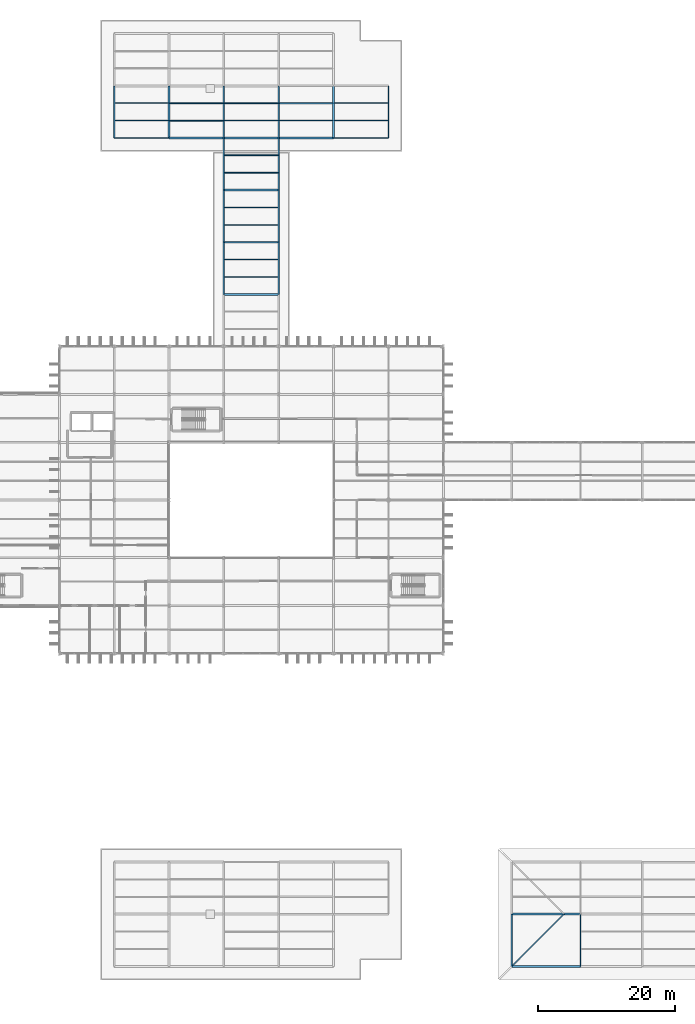
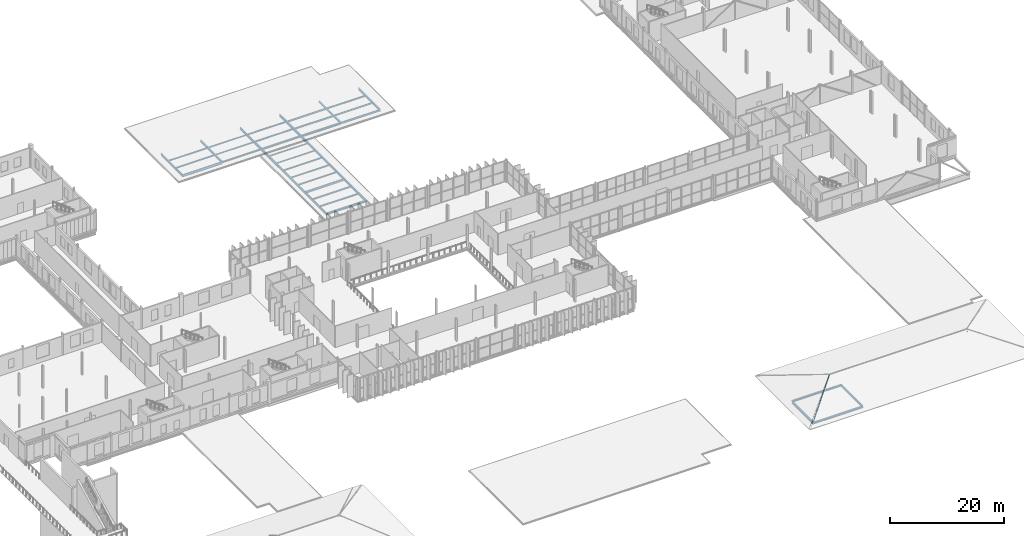
# One storey, part 53 of 120: 40 beams, 1 member.
"""IFC4 building model written with IfcOpenShell, lengths in metres."""

from ifc_helpers import new_model, si_unit, direction, frame, origin, origin_2d, place, context, subcontext, project, spatial, i_section, extrude, material, material_profile, profile_set, type_object, element, save


model = new_model("IFC4")

# Units and contexts
model_context = context("Model", 3, precision=1e-05, world=origin(), true_north=direction((0.0, 1.0)))
body_context = subcontext(model_context, "Body", "Model", "MODEL_VIEW")
ifc_project = project(units=[si_unit("LENGTHUNIT", "METRE"), si_unit("AREAUNIT", "SQUARE_METRE"), si_unit("VOLUMEUNIT", "CUBIC_METRE"), si_unit("PLANEANGLEUNIT", "RADIAN"), si_unit("MASSUNIT", "GRAM", prefix="KILO")], contexts=[model_context])

# Site, building, storey
site_placement = place(None, origin())
site = spatial("IfcSite", under=ifc_project, at=site_placement, CompositionType="ELEMENT")
building_placement = place(site_placement, origin())
building = spatial("IfcBuilding", under=site, at=building_placement, Name="Vekula Escarpment Museum", CompositionType="ELEMENT")
storey_placement = place(building_placement, frame((0.0, 0.0, 13.199951171875)))
storey = spatial("IfcBuildingStorey", under=building, at=storey_placement, Name="L03", CompositionType="ELEMENT", Elevation=13.199951171875)

# Beams
ifc_material_1 = material(Name="Steel S355", Category="steel")
ifc_material_profile_1 = material_profile(ifc_material_1, i_section(OverallWidth=0.280029296875, OverallDepth=0.280029296875, WebThickness=0.010498046875, FlangeThickness=0.01806640625, FilletRadius=0.02392578125, at=origin_2d()), Name="HEB 280")
ifc_profile_set_1 = profile_set([ifc_material_profile_1], Name="Steel S355")
beam_type_1 = type_object("IfcBeamType", Name="BM-GIRD-HEB280", PredefinedType="BEAM", material=ifc_profile_set_1)
beam_1_placement = place(storey_placement, frame((86.0, 120.800048828125, -0.33984375), z_axis=(1.0, 0.0, 0.0), x_axis=(0.0, 1.0, 0.0)))
element("IfcBeam", 1, at=beam_1_placement, inside=storey, type_object=beam_type_1, Name="Beam X L03 1449", PredefinedType="BEAM", context=body_context, shape_type="SweptSolid", body=[
    extrude(i_section(OverallWidth=0.280029296875, OverallDepth=0.280029296875, WebThickness=0.010498046875, FlangeThickness=0.01806640625, FilletRadius=0.02392578125, at=origin_2d()), origin(), (0.0, 0.0, 1.0), 8.0),
])
ifc_material_2 = material(Name="Steel S355", Category="steel")
ifc_material_profile_2 = material_profile(ifc_material_2, i_section(OverallWidth=0.300048828125, OverallDepth=0.320068359375, WebThickness=0.011474609375, FlangeThickness=0.0205078125, FilletRadius=0.027099609375, at=origin_2d()), Name="HEB 320")
ifc_profile_set_2 = profile_set([ifc_material_profile_2], Name="Steel S355")
beam_type_2 = type_object("IfcBeamType", Name="BM-GIRD-HEB320", PredefinedType="BEAM", material=ifc_profile_set_2)
beam_2_placement = place(storey_placement, frame((94.0, 120.800048828125, -0.35986328125), z_axis=(1.0, 0.0, 0.0), x_axis=(0.0, 1.0, 0.0)))
element("IfcBeam", 2, at=beam_2_placement, inside=storey, type_object=beam_type_2, Name="Beam X L03 1450", PredefinedType="BEAM", context=body_context, shape_type="SweptSolid", body=[
    extrude(i_section(OverallWidth=0.300048828125, OverallDepth=0.320068359375, WebThickness=0.011474609375, FlangeThickness=0.0205078125, FilletRadius=0.027099609375, at=origin_2d()), origin(), (0.0, 0.0, 1.0), 8.0),
])
ifc_material_3 = material(Name="Steel S355", Category="steel")
ifc_material_profile_3 = material_profile(ifc_material_3, i_section(OverallWidth=0.300048828125, OverallDepth=0.360107421875, WebThickness=0.012451171875, FlangeThickness=0.0224609375, FilletRadius=0.027099609375, at=origin_2d()), Name="HEB 360")
ifc_profile_set_3 = profile_set([ifc_material_profile_3], Name="Steel S355")
beam_type_3 = type_object("IfcBeamType", Name="BM-GIRD-HEB360", PredefinedType="BEAM", material=ifc_profile_set_3)
beam_3_placement = place(storey_placement, frame((136.0, 7.60009765625, -0.429931640625), z_axis=(1.0, 0.0, 0.0), x_axis=(0.0, 1.0, 0.0)))
element("IfcBeam", 3, at=beam_3_placement, inside=storey, type_object=beam_type_3, Name="Beam X L03 1288", PredefinedType="BEAM", context=body_context, shape_type="SweptSolid", body=[
    extrude(i_section(OverallWidth=0.300048828125, OverallDepth=0.360107421875, WebThickness=0.012451171875, FlangeThickness=0.0224609375, FilletRadius=0.027099609375, at=origin_2d()), origin(), (0.0, 0.0, 1.0), 10.0),
])
ifc_material_4 = material(Name="Steel S355", Category="steel")
ifc_material_profile_4 = material_profile(ifc_material_4, i_section(OverallWidth=0.300048828125, OverallDepth=0.39990234375, WebThickness=0.013427734375, FlangeThickness=0.02392578125, FilletRadius=0.027099609375, at=origin_2d()), Name="HEB 400")
ifc_profile_set_4 = profile_set([ifc_material_profile_4], Name="Steel S355")
beam_type_4 = type_object("IfcBeamType", Name="BM-GIRD-HEB400", PredefinedType="BEAM", material=ifc_profile_set_4)
for number, where, z_axis, x_axis, name in (
    (4, (94.0, 98.0, -0.39990234375), (1.0, 0.0, 0.0), (0.0, 1.0, 0.0), "Beam X L03 1426"),
    (5, (102.0, 120.800048828125, -0.39990234375), (1.0, 0.0, 0.0), (0.0, 1.0, 0.0), "Beam X L03 1451"),
):
    element("IfcBeam", number, at=place(storey_placement, frame(where, z_axis=z_axis, x_axis=x_axis)), inside=storey, type_object=beam_type_4, Name=name, PredefinedType="BEAM", context=body_context, shape_type="SweptSolid", body=[
        extrude(i_section(OverallWidth=0.300048828125, OverallDepth=0.39990234375, WebThickness=0.013427734375, FlangeThickness=0.02392578125, FilletRadius=0.027099609375, at=origin_2d()), origin(), (0.0, 0.0, 1.0), 8.0),
    ])
ifc_material_5 = material(Name="Steel S355", Category="steel")
ifc_material_profile_5 = material_profile(ifc_material_5, i_section(OverallWidth=0.179931640625, OverallDepth=0.39990234375, WebThickness=0.008544921875, FlangeThickness=0.013427734375, FilletRadius=0.02099609375, at=origin_2d()), Name="IPE 400")
ifc_profile_set_5 = profile_set([ifc_material_profile_5], Name="Steel S355")
beam_type_5 = type_object("IfcBeamType", Name="BM-GIRD-IPE400", PredefinedType="BEAM", material=ifc_profile_set_5)
beam_4_placement = place(storey_placement, frame((110.0, 120.800048828125, -0.39990234375), z_axis=(1.0, 0.0, 0.0), x_axis=(0.0, 1.0, 0.0)))
element("IfcBeam", 6, at=beam_4_placement, inside=storey, type_object=beam_type_5, Name="Beam X L03 1452", PredefinedType="BEAM", context=body_context, shape_type="SweptSolid", body=[
    extrude(i_section(OverallWidth=0.179931640625, OverallDepth=0.39990234375, WebThickness=0.008544921875, FlangeThickness=0.013427734375, FilletRadius=0.02099609375, at=origin_2d()), origin(), (0.0, 0.0, 1.0), 8.0),
])
ifc_material_6 = material(Name="Steel S355", Category="steel")
ifc_material_profile_6 = material_profile(ifc_material_6, i_section(OverallWidth=0.18994140625, OverallDepth=0.449951171875, WebThickness=0.009521484375, FlangeThickness=0.0146484375, FilletRadius=0.02099609375, at=origin_2d()), Name="IPE 450")
ifc_profile_set_6 = profile_set([ifc_material_profile_6], Name="Steel S355")
beam_type_6 = type_object("IfcBeamType", Name="BM-GIRD-IPE450", PredefinedType="BEAM", material=ifc_profile_set_6)
beam_5_placement = place(storey_placement, frame((94.0, 105.60009765625, -0.425048828125), z_axis=(1.0, 0.0, 0.0), x_axis=(0.0, 1.0, 0.0)))
element("IfcBeam", 7, at=beam_5_placement, inside=storey, type_object=beam_type_6, Name="Beam X L03 1430", PredefinedType="BEAM", context=body_context, shape_type="SweptSolid", body=[
    extrude(i_section(OverallWidth=0.18994140625, OverallDepth=0.449951171875, WebThickness=0.009521484375, FlangeThickness=0.0146484375, FilletRadius=0.02099609375, at=origin_2d()), origin(), (0.0, 0.0, 1.0), 8.0),
])
ifc_material_7 = material(Name="Steel S355", Category="steel")
ifc_material_profile_7 = material_profile(ifc_material_7, i_section(OverallWidth=0.199951171875, OverallDepth=0.5, WebThickness=0.01025390625, FlangeThickness=0.01611328125, FilletRadius=0.02099609375, at=origin_2d()), Name="IPE 500")
ifc_profile_set_7 = profile_set([ifc_material_profile_7], Name="Steel S355")
beam_type_7 = type_object("IfcBeamType", Name="BM-GIRD-IPE500", PredefinedType="BEAM", material=ifc_profile_set_7)
beam_6_placement = place(storey_placement, frame((78.0, 120.800048828125, -0.449951171875), z_axis=(1.0, 0.0, 0.0), x_axis=(0.0, 1.0, 0.0)))
element("IfcBeam", 8, at=beam_6_placement, inside=storey, type_object=beam_type_7, Name="Beam X L03 1448", PredefinedType="BEAM", context=body_context, shape_type="SweptSolid", body=[
    extrude(i_section(OverallWidth=0.199951171875, OverallDepth=0.5, WebThickness=0.01025390625, FlangeThickness=0.01611328125, FilletRadius=0.02099609375, at=origin_2d()), origin(), (0.0, 0.0, 1.0), 8.0),
])
beam_7_placement = place(storey_placement, frame((78.0, 120.800048828125, -0.449951171875), z_axis=(0.0, 1.0, 0.0), x_axis=(-1.0, 0.0, 0.0)))
element("IfcBeam", 9, at=beam_7_placement, inside=storey, type_object=beam_type_7, Name="Beam Y L03 1571", PredefinedType="BEAM", context=body_context, shape_type="SweptSolid", body=[
    extrude(i_section(OverallWidth=0.199951171875, OverallDepth=0.5, WebThickness=0.01025390625, FlangeThickness=0.01611328125, FilletRadius=0.02099609375, at=origin_2d()), origin(), (0.0, 0.0, 1.0), 7.599853515625),
])
beam_8_placement = place(storey_placement, frame((94.0, 98.0, -0.449951171875), z_axis=(0.0, 1.0, 0.0), x_axis=(-1.0, 0.0, 0.0)))
element("IfcBeam", 10, at=beam_8_placement, inside=storey, type_object=beam_type_7, Name="Beam Y L03 1590", PredefinedType="BEAM", context=body_context, shape_type="SweptSolid", body=[
    extrude(i_section(OverallWidth=0.199951171875, OverallDepth=0.5, WebThickness=0.01025390625, FlangeThickness=0.01611328125, FilletRadius=0.02099609375, at=origin_2d()), origin(), (0.0, 0.0, 1.0), 7.60009765625),
])
beam_9_placement = place(storey_placement, frame((94.0, 105.60009765625, -0.449951171875), z_axis=(0.0, 1.0, 0.0), x_axis=(-1.0, 0.0, 0.0)))
element("IfcBeam", 11, at=beam_9_placement, inside=storey, type_object=beam_type_7, Name="Beam Y L03 1591", PredefinedType="BEAM", context=body_context, shape_type="SweptSolid", body=[
    extrude(i_section(OverallWidth=0.199951171875, OverallDepth=0.5, WebThickness=0.01025390625, FlangeThickness=0.01611328125, FilletRadius=0.02099609375, at=origin_2d()), origin(), (0.0, 0.0, 1.0), 7.599853515625),
])
beam_10_placement = place(storey_placement, frame((94.0, 113.199951171875, -0.449951171875), z_axis=(0.0, 1.0, 0.0), x_axis=(-1.0, 0.0, 0.0)))
element("IfcBeam", 12, at=beam_10_placement, inside=storey, type_object=beam_type_7, Name="Beam Y L03 1592", PredefinedType="BEAM", context=body_context, shape_type="SweptSolid", body=[
    extrude(i_section(OverallWidth=0.199951171875, OverallDepth=0.5, WebThickness=0.01025390625, FlangeThickness=0.01611328125, FilletRadius=0.02099609375, at=origin_2d()), origin(), (0.0, 0.0, 1.0), 7.60009765625),
])
beam_11_placement = place(storey_placement, frame((94.0, 120.800048828125, -0.449951171875), z_axis=(0.0, 1.0, 0.0), x_axis=(-1.0, 0.0, 0.0)))
element("IfcBeam", 13, at=beam_11_placement, inside=storey, type_object=beam_type_7, Name="Beam Y L03 1593", PredefinedType="BEAM", context=body_context, shape_type="SweptSolid", body=[
    extrude(i_section(OverallWidth=0.199951171875, OverallDepth=0.5, WebThickness=0.01025390625, FlangeThickness=0.01611328125, FilletRadius=0.02099609375, at=origin_2d()), origin(), (0.0, 0.0, 1.0), 7.599853515625),
])
beam_12_placement = place(storey_placement, frame((102.0, 98.0, -0.449951171875), z_axis=(0.0, 1.0, 0.0), x_axis=(-1.0, 0.0, 0.0)))
element("IfcBeam", 14, at=beam_12_placement, inside=storey, type_object=beam_type_7, Name="Beam Y L03 1602", PredefinedType="BEAM", context=body_context, shape_type="SweptSolid", body=[
    extrude(i_section(OverallWidth=0.199951171875, OverallDepth=0.5, WebThickness=0.01025390625, FlangeThickness=0.01611328125, FilletRadius=0.02099609375, at=origin_2d()), origin(), (0.0, 0.0, 1.0), 7.60009765625),
])
beam_13_placement = place(storey_placement, frame((102.0, 105.60009765625, -0.449951171875), z_axis=(0.0, 1.0, 0.0), x_axis=(-1.0, 0.0, 0.0)))
element("IfcBeam", 15, at=beam_13_placement, inside=storey, type_object=beam_type_7, Name="Beam Y L03 1603", PredefinedType="BEAM", context=body_context, shape_type="SweptSolid", body=[
    extrude(i_section(OverallWidth=0.199951171875, OverallDepth=0.5, WebThickness=0.01025390625, FlangeThickness=0.01611328125, FilletRadius=0.02099609375, at=origin_2d()), origin(), (0.0, 0.0, 1.0), 7.599853515625),
])
beam_14_placement = place(storey_placement, frame((102.0, 113.199951171875, -0.449951171875), z_axis=(0.0, 1.0, 0.0), x_axis=(-1.0, 0.0, 0.0)))
element("IfcBeam", 16, at=beam_14_placement, inside=storey, type_object=beam_type_7, Name="Beam Y L03 1604", PredefinedType="BEAM", context=body_context, shape_type="SweptSolid", body=[
    extrude(i_section(OverallWidth=0.199951171875, OverallDepth=0.5, WebThickness=0.01025390625, FlangeThickness=0.01611328125, FilletRadius=0.02099609375, at=origin_2d()), origin(), (0.0, 0.0, 1.0), 7.60009765625),
])
for number, where, z_axis, x_axis, name in (
    (17, (102.0, 120.800048828125, -0.449951171875), (0.0, 1.0, 0.0), (-1.0, 0.0, 0.0), "Beam Y L03 1605"),
    (18, (118.0, 120.800048828125, -0.449951171875), (0.0, 1.0, 0.0), (-1.0, 0.0, 0.0), "Beam Y L03 1624"),
):
    element("IfcBeam", number, at=place(storey_placement, frame(where, z_axis=z_axis, x_axis=x_axis)), inside=storey, type_object=beam_type_7, Name=name, PredefinedType="BEAM", context=body_context, shape_type="SweptSolid", body=[
        extrude(i_section(OverallWidth=0.199951171875, OverallDepth=0.5, WebThickness=0.01025390625, FlangeThickness=0.01611328125, FilletRadius=0.02099609375, at=origin_2d()), origin(), (0.0, 0.0, 1.0), 7.599853515625),
    ])
for number, where, z_axis, x_axis, name in (
    (19, (136.0, 0.0, -0.5), (0.0, 1.0, 0.0), (-1.0, 0.0, 0.0), "Beam Y L03 1631"),
    (20, (146.0, 0.0, -0.5), (0.0, 1.0, 0.0), (-1.0, 0.0, 0.0), "Beam Y L03 1634"),
):
    element("IfcBeam", number, at=place(storey_placement, frame(where, z_axis=z_axis, x_axis=x_axis)), inside=storey, type_object=beam_type_7, Name=name, PredefinedType="BEAM", context=body_context, shape_type="SweptSolid", body=[
        extrude(i_section(OverallWidth=0.199951171875, OverallDepth=0.5, WebThickness=0.01025390625, FlangeThickness=0.01611328125, FilletRadius=0.02099609375, at=origin_2d()), origin(), (0.0, 0.0, 1.0), 7.60009765625),
    ])
ifc_material_8 = material(Name="Steel S355", Category="steel")
ifc_material_profile_8 = material_profile(ifc_material_8, i_section(OverallWidth=0.1201171875, OverallDepth=0.239990234375, WebThickness=0.006103515625, FlangeThickness=0.009765625, FilletRadius=0.014892578125, at=origin_2d()), Name="IPE 240")
ifc_profile_set_8 = profile_set([ifc_material_profile_8], Name="Steel S355")
beam_type_8 = type_object("IfcBeamType", Name="BM-JST-IPE240", PredefinedType="JOIST", material=ifc_profile_set_8)
for number, where, z_axis, x_axis, name in (
    (21, (94.090087890625, 123.333251953125, -0.320068359375), (1.0, 0.0, 0.0), (0.0, 1.0, 0.0), "Secondary Joist L03 1039"),
    (22, (94.090087890625, 125.86669921875, -0.320068359375), (1.0, 0.0, 0.0), (0.0, 1.0, 0.0), "Secondary Joist L03 1040"),
):
    element("IfcBeam", number, at=place(storey_placement, frame(where, z_axis=z_axis, x_axis=x_axis)), inside=storey, type_object=beam_type_8, Name=name, PredefinedType="JOIST", context=body_context, shape_type="SweptSolid", body=[
        extrude(i_section(OverallWidth=0.1201171875, OverallDepth=0.239990234375, WebThickness=0.006103515625, FlangeThickness=0.009765625, FilletRadius=0.014892578125, at=origin_2d()), origin(), (0.0, 0.0, 1.0), 7.81982421875),
    ])
ifc_material_9 = material(Name="Steel S355", Category="steel")
ifc_material_profile_9 = material_profile(ifc_material_9, i_section(OverallWidth=0.135009765625, OverallDepth=0.27001953125, WebThickness=0.006591796875, FlangeThickness=0.01025390625, FilletRadius=0.014892578125, at=origin_2d()), Name="IPE 270")
ifc_profile_set_9 = profile_set([ifc_material_profile_9], Name="Steel S355")
beam_type_9 = type_object("IfcBeamType", Name="BM-JST-IPE270", PredefinedType="JOIST", material=ifc_profile_set_9)
for number, where, z_axis, x_axis, name in (
    (23, (86.090087890625, 123.333251953125, -0.3349609375), (1.0, 0.0, 0.0), (0.0, 1.0, 0.0), "Secondary Joist L03 1019"),
    (24, (86.090087890625, 125.86669921875, -0.3349609375), (1.0, 0.0, 0.0), (0.0, 1.0, 0.0), "Secondary Joist L03 1020"),
    (25, (94.090087890625, 115.7333984375, -0.3349609375), (1.0, 0.0, 0.0), (0.0, 1.0, 0.0), "Secondary Joist L03 1037"),
    (26, (94.090087890625, 118.2666015625, -0.3349609375), (1.0, 0.0, 0.0), (0.0, 1.0, 0.0), "Secondary Joist L03 1038"),
):
    element("IfcBeam", number, at=place(storey_placement, frame(where, z_axis=z_axis, x_axis=x_axis)), inside=storey, type_object=beam_type_9, Name=name, PredefinedType="JOIST", context=body_context, shape_type="SweptSolid", body=[
        extrude(i_section(OverallWidth=0.135009765625, OverallDepth=0.27001953125, WebThickness=0.006591796875, FlangeThickness=0.01025390625, FilletRadius=0.014892578125, at=origin_2d()), origin(), (0.0, 0.0, 1.0), 7.81982421875),
    ])
ifc_material_10 = material(Name="Steel S355", Category="steel")
ifc_material_profile_10 = material_profile(ifc_material_10, i_section(OverallWidth=0.14990234375, OverallDepth=0.300048828125, WebThickness=0.007080078125, FlangeThickness=0.0107421875, FilletRadius=0.014892578125, at=origin_2d()), Name="IPE 300")
ifc_profile_set_10 = profile_set([ifc_material_profile_10], Name="Steel S355")
beam_type_10 = type_object("IfcBeamType", Name="BM-JST-IPE300", PredefinedType="JOIST", material=ifc_profile_set_10)
for number, where, z_axis, x_axis, name in (
    (27, (78.090087890625, 123.333251953125, -0.349853515625), (1.0, 0.0, 0.0), (0.0, 1.0, 0.0), "Secondary Joist L03 1010"),
    (28, (78.090087890625, 125.86669921875, -0.349853515625), (1.0, 0.0, 0.0), (0.0, 1.0, 0.0), "Secondary Joist L03 1011"),
    (29, (94.090087890625, 108.13330078125, -0.349853515625), (1.0, 0.0, 0.0), (0.0, 1.0, 0.0), "Secondary Joist L03 1035"),
    (30, (94.090087890625, 110.666748046875, -0.349853515625), (1.0, 0.0, 0.0), (0.0, 1.0, 0.0), "Secondary Joist L03 1036"),
):
    element("IfcBeam", number, at=place(storey_placement, frame(where, z_axis=z_axis, x_axis=x_axis)), inside=storey, type_object=beam_type_10, Name=name, PredefinedType="JOIST", context=body_context, shape_type="SweptSolid", body=[
        extrude(i_section(OverallWidth=0.14990234375, OverallDepth=0.300048828125, WebThickness=0.007080078125, FlangeThickness=0.0107421875, FilletRadius=0.014892578125, at=origin_2d()), origin(), (0.0, 0.0, 1.0), 7.81982421875),
    ])
ifc_material_11 = material(Name="Steel S355", Category="steel")
ifc_material_profile_11 = material_profile(ifc_material_11, i_section(OverallWidth=0.159912109375, OverallDepth=0.330078125, WebThickness=0.007568359375, FlangeThickness=0.011474609375, FilletRadius=0.01806640625, at=origin_2d()), Name="IPE 330")
ifc_profile_set_11 = profile_set([ifc_material_profile_11], Name="Steel S355")
beam_type_11 = type_object("IfcBeamType", Name="BM-JST-IPE330", PredefinedType="JOIST", material=ifc_profile_set_11)
for number, where, z_axis, x_axis, name in (
    (31, (94.090087890625, 100.533203125, -0.364990234375), (1.0, 0.0, 0.0), (0.0, 1.0, 0.0), "Secondary Joist L03 1033"),
    (32, (94.090087890625, 103.066650390625, -0.364990234375), (1.0, 0.0, 0.0), (0.0, 1.0, 0.0), "Secondary Joist L03 1034"),
    (33, (110.090087890625, 123.333251953125, -0.364990234375), (1.0, 0.0, 0.0), (0.0, 1.0, 0.0), "Secondary Joist L03 1065"),
    (34, (110.090087890625, 125.86669921875, -0.364990234375), (1.0, 0.0, 0.0), (0.0, 1.0, 0.0), "Secondary Joist L03 1066"),
):
    element("IfcBeam", number, at=place(storey_placement, frame(where, z_axis=z_axis, x_axis=x_axis)), inside=storey, type_object=beam_type_11, Name=name, PredefinedType="JOIST", context=body_context, shape_type="SweptSolid", body=[
        extrude(i_section(OverallWidth=0.159912109375, OverallDepth=0.330078125, WebThickness=0.007568359375, FlangeThickness=0.011474609375, FilletRadius=0.01806640625, at=origin_2d()), origin(), (0.0, 0.0, 1.0), 7.81982421875),
    ])
ifc_material_12 = material(Name="Steel S355", Category="steel")
ifc_material_profile_12 = material_profile(ifc_material_12, i_section(OverallWidth=0.169921875, OverallDepth=0.360107421875, WebThickness=0.008056640625, FlangeThickness=0.0126953125, FilletRadius=0.01806640625, at=origin_2d()), Name="IPE 360")
ifc_profile_set_12 = profile_set([ifc_material_profile_12], Name="Steel S355")
beam_type_12 = type_object("IfcBeamType", Name="BM-JST-IPE360", PredefinedType="JOIST", material=ifc_profile_set_12)
for number, where, z_axis, x_axis, name in (
    (35, (102.090087890625, 123.333251953125, -0.3798828125), (1.0, 0.0, 0.0), (0.0, 1.0, 0.0), "Secondary Joist L03 1051"),
    (36, (102.090087890625, 125.86669921875, -0.3798828125), (1.0, 0.0, 0.0), (0.0, 1.0, 0.0), "Secondary Joist L03 1052"),
):
    element("IfcBeam", number, at=place(storey_placement, frame(where, z_axis=z_axis, x_axis=x_axis)), inside=storey, type_object=beam_type_12, Name=name, PredefinedType="JOIST", context=body_context, shape_type="SweptSolid", body=[
        extrude(i_section(OverallWidth=0.169921875, OverallDepth=0.360107421875, WebThickness=0.008056640625, FlangeThickness=0.0126953125, FilletRadius=0.01806640625, at=origin_2d()), origin(), (0.0, 0.0, 1.0), 7.81982421875),
    ])
ifc_material_13 = material(Name="Steel S355", Category="steel")
ifc_material_profile_13 = material_profile(ifc_material_13, i_section(OverallWidth=0.239990234375, OverallDepth=0.22998046875, WebThickness=0.007568359375, FlangeThickness=0.011962890625, FilletRadius=0.02099609375, at=origin_2d()), Name="HEA 240")
ifc_profile_set_13 = profile_set([ifc_material_profile_13], Name="Steel S355")
beam_type_13 = type_object("IfcBeamType", Name="BM-SPAN-HEA240", PredefinedType="SPANDREL", material=ifc_profile_set_13)
beam_15_placement = place(storey_placement, frame((94.0, 113.199951171875, -0.31494140625), z_axis=(1.0, 0.0, 0.0), x_axis=(0.0, 1.0, 0.0)))
element("IfcBeam", 37, at=beam_15_placement, inside=storey, type_object=beam_type_13, Name="Beam X L03 1439", PredefinedType="SPANDREL", context=body_context, shape_type="SweptSolid", body=[
    extrude(i_section(OverallWidth=0.239990234375, OverallDepth=0.22998046875, WebThickness=0.007568359375, FlangeThickness=0.011962890625, FilletRadius=0.02099609375, at=origin_2d()), origin(), (0.0, 0.0, 1.0), 8.0),
])
ifc_material_14 = material(Name="Steel S355", Category="steel")
ifc_material_profile_14 = material_profile(ifc_material_14, i_section(OverallWidth=0.300048828125, OverallDepth=0.2900390625, WebThickness=0.008544921875, FlangeThickness=0.013916015625, FilletRadius=0.027099609375, at=origin_2d()), Name="HEA 300")
ifc_profile_set_14 = profile_set([ifc_material_profile_14], Name="Steel S355")
beam_type_14 = type_object("IfcBeamType", Name="BM-SPAN-HEA300", PredefinedType="SPANDREL", material=ifc_profile_set_14)
for number, where, z_axis, x_axis, name in (
    (38, (86.0, 120.800048828125, -0.344970703125), (0.0, 1.0, 0.0), (-1.0, 0.0, 0.0), "Beam Y L03 1581"),
    (39, (110.0, 120.800048828125, -0.344970703125), (0.0, 1.0, 0.0), (-1.0, 0.0, 0.0), "Beam Y L03 1615"),
):
    element("IfcBeam", number, at=place(storey_placement, frame(where, z_axis=z_axis, x_axis=x_axis)), inside=storey, type_object=beam_type_14, Name=name, PredefinedType="SPANDREL", context=body_context, shape_type="SweptSolid", body=[
        extrude(i_section(OverallWidth=0.300048828125, OverallDepth=0.2900390625, WebThickness=0.008544921875, FlangeThickness=0.013916015625, FilletRadius=0.027099609375, at=origin_2d()), origin(), (0.0, 0.0, 1.0), 7.599853515625),
    ])
ifc_material_15 = material(Name="Steel S355", Category="steel")
ifc_material_profile_15 = material_profile(ifc_material_15, i_section(OverallWidth=0.300048828125, OverallDepth=0.389892578125, WebThickness=0.010986328125, FlangeThickness=0.01904296875, FilletRadius=0.027099609375, at=origin_2d()), Name="HEA 400")
ifc_profile_set_15 = profile_set([ifc_material_profile_15], Name="Steel S355")
beam_type_15 = type_object("IfcBeamType", Name="BM-SPAN-HEA400", PredefinedType="SPANDREL", material=ifc_profile_set_15)
beam_16_placement = place(storey_placement, frame((136.0, 0.0, -0.445068359375), z_axis=(1.0, 0.0, 0.0), x_axis=(0.0, 1.0, 0.0)))
element("IfcBeam", 40, at=beam_16_placement, inside=storey, type_object=beam_type_15, Name="Beam X L03 1276", PredefinedType="SPANDREL", context=body_context, shape_type="SweptSolid", body=[
    extrude(i_section(OverallWidth=0.300048828125, OverallDepth=0.389892578125, WebThickness=0.010986328125, FlangeThickness=0.01904296875, FilletRadius=0.027099609375, at=origin_2d()), origin(), (0.0, 0.0, 1.0), 10.0),
])

# Member
ifc_material_16 = material(Name="Steel S355", Category="steel")
ifc_material_profile_16 = material_profile(ifc_material_16, i_section(OverallWidth=0.14990234375, OverallDepth=0.300048828125, WebThickness=0.007080078125, FlangeThickness=0.0107421875, FilletRadius=0.014892578125, at=origin_2d()), Name="IPE 300")
ifc_profile_set_16 = profile_set([ifc_material_profile_16], Name="Steel S355")
member_type = type_object("IfcMemberType", Name="MB-HIP-RAFTER", PredefinedType="CHORD", material=ifc_profile_set_16)
member_placement = place(storey_placement, frame((136.0, 0.0, -0.14990234375), z_axis=(0.685648922986, 0.685648922986, 0.244481305658), x_axis=(-0.707106781187, 0.707106781187, 0.0)))
element("IfcMember", 41, at=member_placement, inside=storey, type_object=member_type, Name="Entry Pavilion Hip Rafter 1", PredefinedType="CHORD", context=body_context, shape_type="SweptSolid", body=[
    extrude(i_section(OverallWidth=0.14990234375, OverallDepth=0.300048828125, WebThickness=0.007080078125, FlangeThickness=0.0107421875, FilletRadius=0.014892578125, at=origin_2d()), origin(), (0.0, 0.0, 1.0), 11.08447265625),
])

save(model, "model.ifc")
